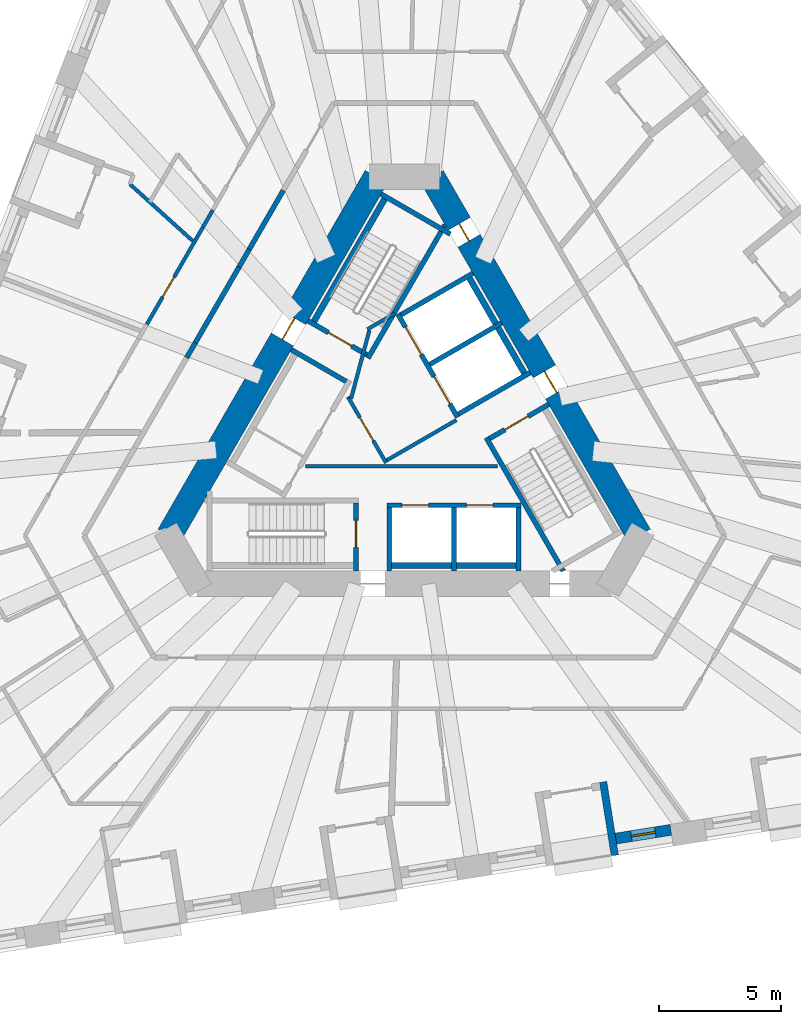
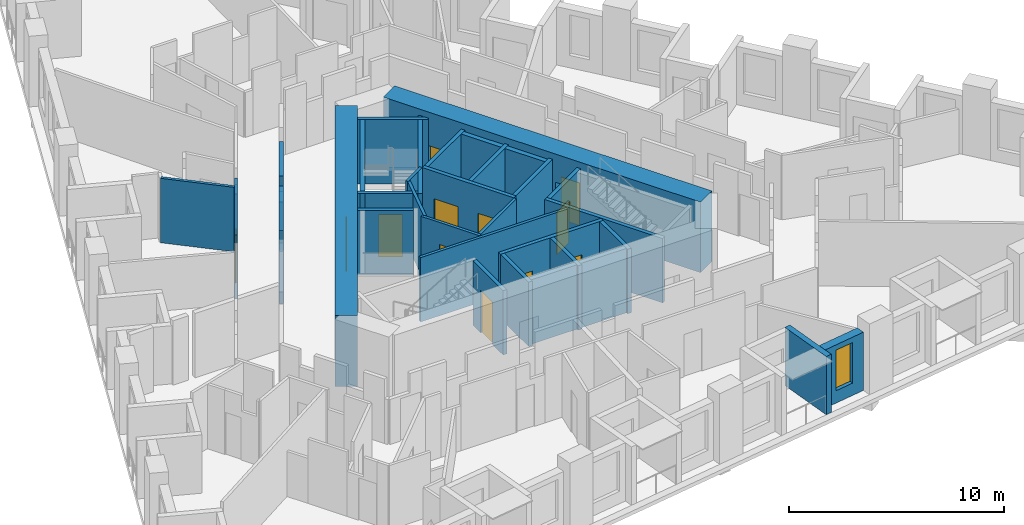
# One storey, part 5 of 14: 34 walls, 12 doors, 1 window, 13 openings.
"""IFC4 building model written with IfcOpenShell, lengths in metres."""

from ifc_helpers import new_model, si_unit, direction, frame, frame_2d, origin, place, context, subcontext, project, spatial, rectangle, extrude, material, layer, layer_set, type_object, element, fill, save


model = new_model("IFC4")

# Units and contexts
model_context = context("Model", 3, precision=1e-05, world=origin(), true_north=direction((0.0, 1.0)))
body_context = subcontext(model_context, "Body", "Model", "MODEL_VIEW")
ifc_project = project(units=[si_unit("LENGTHUNIT", "METRE"), si_unit("AREAUNIT", "SQUARE_METRE"), si_unit("VOLUMEUNIT", "CUBIC_METRE"), si_unit("PLANEANGLEUNIT", "RADIAN"), si_unit("MASSUNIT", "GRAM", prefix="KILO")], contexts=[model_context])

# Site, building, storey
site_placement = place(None, origin())
site = spatial("IfcSite", under=ifc_project, at=site_placement, CompositionType="ELEMENT")
building_placement = place(site_placement, origin())
building = spatial("IfcBuilding", under=site, at=building_placement, Name="Tramontana Tower", CompositionType="ELEMENT")
storey_placement = place(building_placement, frame((0.0, 0.0, 63.199951171875)))
storey = spatial("IfcBuildingStorey", under=building, at=storey_placement, Name="L13", CompositionType="ELEMENT", Elevation=63.199951171875)

# Wall, opening, door
ifc_material_1 = material(Name="Concrete 70 MPa", Category="concrete")
ifc_layer_1 = layer(ifc_material_1, 1.050048828125)
ifc_layer_set_1 = layer_set([ifc_layer_1], Name="Core wall 1050 70 MPa")
wall_type_1 = type_object("IfcWallType", Name="Core wall 1050 70 MPa", PredefinedType="SHEAR", material=ifc_layer_set_1)
wall_1_placement = place(storey_placement, frame((-1.140380859375, 10.47509765625, 0.0), z_axis=(0.0, 0.0, 1.0), x_axis=(-0.499985955615, -0.866033512162, 0.0)))
wall_1 = element("IfcWall", 1, at=wall_1_placement, inside=storey, type_object=wall_type_1, Name="Core wall C1 L13", PredefinedType="SHEAR", context=body_context, shape_type="SweptSolid", body=[
    extrude(rectangle(XDim=17.0029296875, YDim=1.050048828125, at=frame_2d((8.50146484375, 0.0))), origin(), (0.0, 0.0, 1.0), 4.0),
])
opening_1_placement = place(wall_1_placement, frame((6.70654296875, 0.0, 0.0)))
opening_1 = element("IfcOpeningElement", 2, at=opening_1_placement, cuts=wall_1, Name="Opening RG1", PredefinedType="OPENING", context=body_context, shape_type="SweptSolid", body=[
    extrude(rectangle(XDim=1.0, YDim=2.39990234375, at=frame_2d((0.5, 1.199951171875))), frame((0.0, 0.534912109375, 0.0), z_axis=(0.0, -1.0, 0.0), x_axis=(1.0, 0.0, 0.0)), (0.0, 0.0, 1.0), 1.070068359375),
])
ifc_material_2 = material(Name="Painted steel", Category="steel")
door_type_1 = type_object("IfcDoorType", Name="RING DOOR 1000", OperationType="SINGLE_SWING_LEFT", PredefinedType="DOOR", material=ifc_material_2)
door_1_placement = place(opening_1_placement, origin())
door_1 = element("IfcDoor", 3, at=door_1_placement, inside=storey, type_object=door_type_1, Name="Door RG1", OperationType="SINGLE_SWING_RIGHT", OverallHeight=2.39990234375, OverallWidth=1.0, PredefinedType="DOOR", context=body_context, shape_type="SweptSolid", body=[
    extrude(rectangle(XDim=1.0, YDim=2.39990234375, at=frame_2d((0.5, 1.199951171875))), frame((0.0, 0.02490234375, 0.0), z_axis=(0.0, -1.0, 0.0), x_axis=(1.0, 0.0, 0.0)), (0.0, 0.0, 1.0), 0.050048828125),
])
fill(opening_1, door_1)

# Wall, openings, doors
wall_2_placement = place(storey_placement, frame((9.6416015625, -4.25, 0.0), z_axis=(0.0, 0.0, 1.0), x_axis=(-0.499985955615, 0.866033512162, 0.0)))
wall_2 = element("IfcWall", 4, at=wall_2_placement, inside=storey, type_object=wall_type_1, Name="Core wall C5 L13", PredefinedType="SHEAR", context=body_context, shape_type="SweptSolid", body=[
    extrude(rectangle(XDim=17.0029296875, YDim=1.050048828125, at=frame_2d((8.50146484375, 0.0))), origin(), (0.0, 0.0, 1.0), 4.0),
])
opening_2_placement = place(wall_2_placement, frame((6.7763671875, 0.0, 0.0)))
opening_2 = element("IfcOpeningElement", 5, at=opening_2_placement, cuts=wall_2, Name="Opening RG3", PredefinedType="OPENING", context=body_context, shape_type="SweptSolid", body=[
    extrude(rectangle(XDim=1.0, YDim=2.39990234375, at=frame_2d((0.5, 1.199951171875))), frame((0.0, 0.534912109375, 0.0), z_axis=(0.0, -1.0, 0.0), x_axis=(1.0, 0.0, 0.0)), (0.0, 0.0, 1.0), 1.070068359375),
])
opening_3_placement = place(wall_2_placement, frame((13.966796875, 0.0, 0.0)))
opening_3 = element("IfcOpeningElement", 6, at=opening_3_placement, cuts=wall_2, Name="Opening PD3", PredefinedType="OPENING", context=body_context, shape_type="SweptSolid", body=[
    extrude(rectangle(XDim=0.800048828125, YDim=2.10009765625, at=frame_2d((0.39990234375, 1.050048828125))), frame((0.0, 0.534912109375, 0.0), z_axis=(0.0, -1.0, 0.0), x_axis=(1.0, 0.0, 0.0)), (0.0, 0.0, 1.0), 1.070068359375),
])
ifc_material_3 = material(Name="Painted steel", Category="steel")
door_type_2 = type_object("IfcDoorType", Name="CUPBOARD DOOR 800", OperationType="SINGLE_SWING_LEFT", PredefinedType="DOOR", material=ifc_material_3)
door_2_placement = place(opening_3_placement, origin())
door_2 = element("IfcDoor", 7, at=door_2_placement, inside=storey, type_object=door_type_2, Name="Door PD3", OperationType="SINGLE_SWING_RIGHT", OverallHeight=2.10009765625, OverallWidth=0.800048828125, PredefinedType="DOOR", context=body_context, shape_type="SweptSolid", body=[
    extrude(rectangle(XDim=0.800048828125, YDim=2.10009765625, at=frame_2d((0.39990234375, 1.050048828125))), frame((0.0, 0.02490234375, 0.0), z_axis=(0.0, -1.0, 0.0), x_axis=(1.0, 0.0, 0.0)), (0.0, 0.0, 1.0), 0.050048828125),
])
fill(opening_3, door_2)
door_3_placement = place(opening_2_placement, origin())
door_3 = element("IfcDoor", 8, at=door_3_placement, inside=storey, type_object=door_type_1, Name="Door RG3", OperationType="SINGLE_SWING_RIGHT", OverallHeight=2.39990234375, OverallWidth=1.0, PredefinedType="DOOR", context=body_context, shape_type="SweptSolid", body=[
    extrude(rectangle(XDim=1.0, YDim=2.39990234375, at=frame_2d((0.5, 1.199951171875))), frame((0.0, 0.02490234375, 0.0), z_axis=(0.0, -1.0, 0.0), x_axis=(1.0, 0.0, 0.0)), (0.0, 0.0, 1.0), 0.050048828125),
])
fill(opening_2, door_3)

# Walls
ifc_material_4 = material(Name="Blockwork", Category="masonry")
ifc_layer_2 = layer(ifc_material_4, 0.199951171875)
ifc_layer_set_2 = layer_set([ifc_layer_2], Name="ENTRY WALL 200")
wall_type_2 = type_object("IfcWallType", Name="ENTRY WALL 200", PredefinedType="SOLIDWALL", material=ifc_layer_set_2)
wall_3_placement = place(storey_placement, frame((-8.92041015625, 3.04931640625, 0.0), z_axis=(0.0, 0.0, 1.0), x_axis=(0.499881507708, 0.866093804534, 0.0)))
element("IfcWall", 9, at=wall_3_placement, inside=storey, type_object=wall_type_2, Name="Wall v11-ew4-3", PredefinedType="SOLIDWALL", context=body_context, shape_type="SweptSolid", body=[
    extrude(rectangle(XDim=0.708740234375, YDim=0.199951171875, at=frame_2d((0.3544921875, 0.0))), origin(), (0.0, 0.0, 1.0), 2.949951171875),
])
wall_4_placement = place(storey_placement, frame((-8.566162109375, 3.6630859375, 0.0), z_axis=(0.0, 0.0, 1.0), x_axis=(0.500013241293, 0.866017758786, 0.0)))
element("IfcWall", 10, at=wall_4_placement, inside=storey, type_object=wall_type_2, Name="Wall v11-ew4-4", PredefinedType="SOLIDWALL", context=body_context, shape_type="SweptSolid", body=[
    extrude(rectangle(XDim=3.58544921875, YDim=0.199951171875, at=frame_2d((1.792724609375, 0.0))), origin(), (0.0, 0.0, 1.0), 3.650146484375),
])
wall_5_placement = place(storey_placement, frame((-6.7734375, 6.76806640625, 0.0), z_axis=(0.0, 0.0, 1.0), x_axis=(0.500117447933, 0.865957584569, 0.0)))
element("IfcWall", 11, at=wall_5_placement, inside=storey, type_object=wall_type_2, Name="Wall v11-ew4-5", PredefinedType="SOLIDWALL", context=body_context, shape_type="SweptSolid", body=[
    extrude(rectangle(XDim=0.838134765625, YDim=0.199951171875, at=frame_2d((0.4189453125, 0.0))), origin(), (0.0, 0.0, 1.0), 2.75),
])
wall_6_placement = place(storey_placement, frame((-6.354248046875, 7.493896484375, 0.0), z_axis=(0.0, 0.0, 1.0), x_axis=(0.499964529649, 0.866045881633, 0.0)))
element("IfcWall", 12, at=wall_6_placement, inside=storey, type_object=wall_type_2, Name="Wall v11-ew4-6", PredefinedType="SOLIDWALL", context=body_context, shape_type="SweptSolid", body=[
    extrude(rectangle(XDim=2.793701171875, YDim=0.199951171875, at=frame_2d((1.39697265625, 0.0))), origin(), (0.0, 0.0, 1.0), 3.650146484375),
])

# Wall, opening, window
ifc_material_5 = material(Name="Precast concrete 60 MPa", Category="concrete")
ifc_layer_3 = layer(ifc_material_5, 0.449951171875)
ifc_layer_set_3 = layer_set([ifc_layer_3], Name="Precast concrete 60 MPa, 450 mm")
wall_type_3 = type_object("IfcWallType", Name="EW1 Stone-faced precast wall 450", PredefinedType="SOLIDWALL", material=ifc_layer_set_3)
wall_7_placement = place(storey_placement, frame((8.680908203125, -16.67236328125, 0.0), z_axis=(0.0, 0.0, 1.0), x_axis=(0.987685675151, 0.156451293065, 0.0)))
wall_7 = element("IfcWall", 13, at=wall_7_placement, inside=storey, type_object=wall_type_3, Name="External wall L13 face 1 bay 4", PredefinedType="SOLIDWALL", context=body_context, shape_type="SweptSolid", body=[
    extrude(rectangle(XDim=2.282958984375, YDim=0.449951171875, at=frame_2d((1.1416015625, 0.0))), origin(), (0.0, 0.0, 1.0), 3.300048828125),
])
opening_4_placement = place(wall_7_placement, frame((0.6416015625, 0.0, 0.699951171875)))
opening_4 = element("IfcOpeningElement", 14, at=opening_4_placement, cuts=wall_7, Name="Opening N1", PredefinedType="OPENING", context=body_context, shape_type="SweptSolid", body=[
    extrude(rectangle(XDim=1.0, YDim=2.300048828125, at=frame_2d((0.5, 1.14990234375))), frame((0.0, 0.23486328125, 0.0), z_axis=(0.0, -1.0, 0.0), x_axis=(1.0, 0.0, 0.0)), (0.0, 0.0, 1.0), 0.469970703125),
])
ifc_material_6 = material(Name="Aluminum frame, double glazing unit", Category="aluminium")
window_type = type_object("IfcWindowType", Name="N1 Window 1 x 2.3", PartitioningType="SINGLE_PANEL", PredefinedType="WINDOW", material=ifc_material_6)
window_placement = place(opening_4_placement, origin())
window = element("IfcWindow", 15, at=window_placement, inside=storey, type_object=window_type, Name="Window N1 L13 face 1 module 12", OverallHeight=2.300048828125, OverallWidth=1.0, PartitioningType="SINGLE_PANEL", PredefinedType="WINDOW", context=body_context, shape_type="SweptSolid", body=[
    extrude(rectangle(XDim=1.0, YDim=2.300048828125, at=frame_2d((0.5, 1.14990234375))), frame((0.0, 0.030029296875, 0.0), z_axis=(0.0, -1.0, 0.0), x_axis=(1.0, 0.0, 0.0)), (0.0, 0.0, 1.0), 0.06005859375),
])
fill(opening_4, window)

# Wall
ifc_material_7 = material(Name="Precast concrete 60 MPa", Category="concrete")
ifc_layer_4 = layer(ifc_material_7, 0.300048828125)
ifc_layer_set_4 = layer_set([ifc_layer_4], Name="LW1 Stone-faced loggia wall 300")
wall_type_4 = type_object("IfcWallType", Name="LW1 Stone-faced loggia wall 300", PredefinedType="SOLIDWALL", material=ifc_layer_set_4)
wall_8_placement = place(storey_placement, frame((8.638427734375, -17.3623046875, 0.0), z_axis=(0.0, 0.0, 1.0), x_axis=(-0.156410600741, 0.987692120033, 0.0)))
element("IfcWall", 16, at=wall_8_placement, inside=storey, type_object=wall_type_4, Name="Loggia return L13 G1S1.10b", PredefinedType="SOLIDWALL", context=body_context, shape_type="SweptSolid", body=[
    extrude(rectangle(XDim=3.050048828125, YDim=0.300048828125, at=frame_2d((1.52490234375, 0.0))), origin(), (0.0, 0.0, 1.0), 3.300048828125),
])

# Wall, opening, door
ifc_material_8 = material(Name="Gypsum board partition")
ifc_layer_5 = layer(ifc_material_8, 0.14990234375)
ifc_layer_set_5 = layer_set([ifc_layer_5], Name="PARTITION 150")
wall_type_5 = type_object("IfcWallType", Name="PARTITION 150", PredefinedType="PARTITIONING", material=ifc_layer_set_5)
wall_9_placement = place(storey_placement, frame((-0.744140625, -1.260986328125, 0.0), z_axis=(0.0, 0.0, 1.0), x_axis=(-0.500004234368, 0.866022959057, 0.0)))
wall_9 = element("IfcWall", 17, at=wall_9_placement, inside=storey, type_object=wall_type_5, Name="Wall ff-front", PredefinedType="PARTITIONING", context=body_context, shape_type="SweptSolid", body=[
    extrude(rectangle(XDim=3.125, YDim=0.14990234375, at=frame_2d((1.5625, 0.0))), origin(), (0.0, 0.0, 1.0), 3.650146484375),
])
opening_5_placement = place(wall_9_placement, frame((1.050048828125, 0.0, 0.0)))
opening_5 = element("IfcOpeningElement", 18, at=opening_5_placement, cuts=wall_9, Name="Opening FD1", PredefinedType="OPENING", context=body_context, shape_type="SweptSolid", body=[
    extrude(rectangle(XDim=1.10009765625, YDim=2.39990234375, at=frame_2d((0.550048828125, 1.199951171875))), frame((0.0, 0.0849609375, 0.0), z_axis=(0.0, -1.0, 0.0), x_axis=(1.0, 0.0, 0.0)), (0.0, 0.0, 1.0), 0.169921875),
])
ifc_material_9 = material(Name="Painted timber", Category="wood")
door_type_3 = type_object("IfcDoorType", Name="DOOR ENTRY 1100", OperationType="SINGLE_SWING_LEFT", PredefinedType="DOOR", material=ifc_material_9)
door_4_placement = place(opening_5_placement, origin())
door_4 = element("IfcDoor", 19, at=door_4_placement, inside=storey, type_object=door_type_3, Name="Door FD1", OperationType="SINGLE_SWING_LEFT", OverallHeight=2.39990234375, OverallWidth=1.10009765625, PredefinedType="DOOR", context=body_context, shape_type="SweptSolid", body=[
    extrude(rectangle(XDim=1.10009765625, YDim=2.39990234375, at=frame_2d((0.550048828125, 1.199951171875))), frame((0.0, 0.02490234375, 0.0), z_axis=(0.0, -1.0, 0.0), x_axis=(1.0, 0.0, 0.0)), (0.0, 0.0, 1.0), 0.050048828125),
])
fill(opening_5, door_4)

# Walls
wall_10_placement = place(storey_placement, frame((-0.716796875, -1.15869140625, 0.0), z_axis=(0.0, 0.0, 1.0), x_axis=(0.866008176907, 0.50002983664, 0.0)))
element("IfcWall", 20, at=wall_10_placement, inside=storey, type_object=wall_type_5, Name="Wall ff-end0", PredefinedType="PARTITIONING", context=body_context, shape_type="SweptSolid", body=[
    extrude(rectangle(XDim=3.300048828125, YDim=0.14990234375, at=frame_2d((1.64990234375, 0.0))), origin(), (0.0, 0.0, 1.0), 3.650146484375),
])
wall_11_placement = place(storey_placement, frame((-2.177978515625, 1.372314453125, 0.0), z_axis=(0.0, 0.0, 1.0), x_axis=(0.258808958833, 0.96592852884, 0.0)))
element("IfcWall", 21, at=wall_11_placement, inside=storey, type_object=wall_type_5, Name="Wall ff-diag", PredefinedType="PARTITIONING", context=body_context, shape_type="SweptSolid", body=[
    extrude(rectangle(XDim=2.902587890625, YDim=0.14990234375, at=frame_2d((1.451171875, 0.0))), origin(), (0.0, 0.0, 1.0), 3.650146484375),
])
wall_12_placement = place(storey_placement, frame((-1.509765625, 4.21484375, 0.0), z_axis=(0.0, 0.0, 1.0), x_axis=(0.866085525409, 0.49989585183, 0.0)))
element("IfcWall", 22, at=wall_12_placement, inside=storey, type_object=wall_type_5, Name="Wall ff-end1", PredefinedType="PARTITIONING", context=body_context, shape_type="SweptSolid", body=[
    extrude(rectangle(XDim=1.300048828125, YDim=0.14990234375, at=frame_2d((0.64990234375, 0.0))), origin(), (0.0, 0.0, 1.0), 3.650146484375),
])
wall_13_placement = place(storey_placement, frame((-4.053466796875, -1.39990234375, 0.0), z_axis=(0.0, 0.0, 1.0), x_axis=(1.0, 0.0, 0.0)))
element("IfcWall", 23, at=wall_13_placement, inside=storey, type_object=wall_type_5, Name="Wall hub-cut1", PredefinedType="PARTITIONING", context=body_context, shape_type="SweptSolid", body=[
    extrude(rectangle(XDim=7.8759765625, YDim=0.14990234375, at=frame_2d((3.93798828125, 0.0))), origin(), (0.0, 0.0, 1.0), 3.650146484375),
])

# Wall, opening, door
wall_14_placement = place(storey_placement, frame((-10.557373046875, 4.4140625, 0.0), z_axis=(0.0, 0.0, 1.0), x_axis=(0.499985815721, 0.866033592927, 0.0)))
wall_14 = element("IfcWall", 24, at=wall_14_placement, inside=storey, type_object=wall_type_5, Name="Wall v11-pw05-4", PredefinedType="PARTITIONING", context=body_context, shape_type="SweptSolid", body=[
    extrude(rectangle(XDim=4.600830078125, YDim=0.14990234375, at=frame_2d((2.30029296875, 0.0))), origin(), (0.0, 0.0, 1.0), 3.650146484375),
])
opening_6_placement = place(wall_14_placement, frame((1.30029296875, 0.0, 0.0)))
opening_6 = element("IfcOpeningElement", 25, at=opening_6_placement, cuts=wall_14, Name="Opening B1B-07", PredefinedType="OPENING", context=body_context, shape_type="SweptSolid", body=[
    extrude(rectangle(XDim=0.949951171875, YDim=2.39990234375, at=frame_2d((0.47509765625, 1.199951171875))), frame((0.0, 0.0849609375, 0.0), z_axis=(0.0, -1.0, 0.0), x_axis=(1.0, 0.0, 0.0)), (0.0, 0.0, 1.0), 0.169921875),
])
ifc_material_10 = material(Name="Painted timber", Category="wood")
door_type_4 = type_object("IfcDoorType", Name="DOOR ROOM 950", OperationType="SINGLE_SWING_LEFT", PredefinedType="DOOR", material=ifc_material_10)
door_5_placement = place(opening_6_placement, origin())
door_5 = element("IfcDoor", 26, at=door_5_placement, inside=storey, type_object=door_type_4, Name="Door B1B-07", OperationType="SINGLE_SWING_LEFT", OverallHeight=2.39990234375, OverallWidth=0.949951171875, PredefinedType="DOOR", context=body_context, shape_type="SweptSolid", body=[
    extrude(rectangle(XDim=0.949951171875, YDim=2.39990234375, at=frame_2d((0.47509765625, 1.199951171875))), frame((0.0, 0.02490234375, 0.0), z_axis=(0.0, -1.0, 0.0), x_axis=(1.0, 0.0, 0.0)), (0.0, 0.0, 1.0), 0.050048828125),
])
fill(opening_6, door_5)

# Walls
wall_15_placement = place(storey_placement, frame((-8.257080078125, 8.3984375, 0.0), z_axis=(0.0, 0.0, 1.0), x_axis=(0.500052144805, 0.865995295874, 0.0)))
element("IfcWall", 27, at=wall_15_placement, inside=storey, type_object=wall_type_5, Name="Wall v11-pw05-5", PredefinedType="PARTITIONING", context=body_context, shape_type="SweptSolid", body=[
    extrude(rectangle(XDim=0.81201171875, YDim=0.14990234375, at=frame_2d((0.406005859375, 0.0))), origin(), (0.0, 0.0, 1.0), 2.75),
])
wall_16_placement = place(storey_placement, frame((-8.668212890625, 7.836181640625, 0.0), z_axis=(0.0, 0.0, 1.0), x_axis=(-0.741818017286, 0.670601244578, 0.0)))
element("IfcWall", 28, at=wall_16_placement, inside=storey, type_object=wall_type_5, Name="Wall v11-pw21", PredefinedType="PARTITIONING", context=body_context, shape_type="SweptSolid", body=[
    extrude(rectangle(XDim=3.48291015625, YDim=0.14990234375, at=frame_2d((1.741455078125, 0.0))), origin(), (0.0, 0.0, 1.0), 3.650146484375),
])
ifc_material_11 = material(Name="Concrete 70 MPa", Category="concrete")
ifc_layer_6 = layer(ifc_material_11, 0.25)
ifc_layer_set_6 = layer_set([ifc_layer_6], Name="Concrete 70 MPa, 250 mm")
wall_type_6 = type_object("IfcWallType", Name="RC SHAFT BACK WALL 250", PredefinedType="SOLIDWALL", material=ifc_layer_set_6)
wall_17_placement = place(storey_placement, frame((-0.701416015625, 9.73486328125, 0.0), z_axis=(0.0, 0.0, 1.0), x_axis=(-0.500026960575, -0.86600983753, 0.0)))
element("IfcWall", 29, at=wall_17_placement, inside=storey, type_object=wall_type_6, Name="Wall st1-back", PredefinedType="SOLIDWALL", context=body_context, shape_type="SweptSolid", body=[
    extrude(rectangle(XDim=6.199951171875, YDim=0.25, at=frame_2d((3.10009765625, 0.0))), origin(), (0.0, 0.0, 1.0), 3.650146484375),
])
wall_18_placement = place(storey_placement, frame((-0.7099609375, -5.47509765625, 0.0), z_axis=(0.0, 0.0, 1.0), x_axis=(1.0, 0.0, 0.0)))
element("IfcWall", 30, at=wall_18_placement, inside=storey, type_object=wall_type_6, Name="Wall row1-back", PredefinedType="SOLIDWALL", context=body_context, shape_type="SweptSolid", body=[
    extrude(rectangle(XDim=5.5, YDim=0.25, at=frame_2d((2.75, 0.0))), origin(), (0.0, 0.0, 1.0), 3.650146484375),
])
wall_19_placement = place(storey_placement, frame((5.0263671875, 2.243896484375, 0.0), z_axis=(0.0, 0.0, 1.0), x_axis=(-0.500002801628, 0.866023786258, 0.0)))
element("IfcWall", 31, at=wall_19_placement, inside=storey, type_object=wall_type_6, Name="Wall row2-back", PredefinedType="SOLIDWALL", context=body_context, shape_type="SweptSolid", body=[
    extrude(rectangle(XDim=4.89990234375, YDim=0.25, at=frame_2d((2.449951171875, 0.0))), origin(), (0.0, 0.0, 1.0), 3.650146484375),
])
ifc_material_12 = material(Name="Concrete 70 MPa", Category="concrete")
ifc_layer_7 = layer(ifc_material_12, 0.199951171875)
ifc_layer_set_7 = layer_set([ifc_layer_7], Name="Concrete 70 MPa, 200 mm")
wall_type_7 = type_object("IfcWallType", Name="RC STAIR AND SHAFT WALL 200", PredefinedType="SOLIDWALL", material=ifc_layer_set_7)
wall_20_placement = place(storey_placement, frame((1.67431640625, 8.5, 0.0), z_axis=(0.0, 0.0, 1.0), x_axis=(-0.499995607161, -0.866027939976, 0.0)))
element("IfcWall", 32, at=wall_20_placement, inside=storey, type_object=wall_type_7, Name="Wall st1-front", PredefinedType="SOLIDWALL", context=body_context, shape_type="SweptSolid", body=[
    extrude(rectangle(XDim=6.318359375, YDim=0.199951171875, at=frame_2d((3.1591796875, 0.0))), origin(), (0.0, 0.0, 1.0), 3.650146484375),
])
wall_21_placement = place(storey_placement, frame((1.892578125, 8.121826171875, 0.0), z_axis=(0.0, 0.0, 1.0), x_axis=(-0.866006986733, 0.500031897912, 0.0)))
element("IfcWall", 33, at=wall_21_placement, inside=storey, type_object=wall_type_7, Name="Wall st1-far", PredefinedType="SOLIDWALL", context=body_context, shape_type="SweptSolid", body=[
    extrude(rectangle(XDim=3.278076171875, YDim=0.199951171875, at=frame_2d((1.63916015625, 0.0))), origin(), (0.0, 0.0, 1.0), 3.650146484375),
])

# Wall, opening, door
wall_22_placement = place(storey_placement, frame((-1.521484375, 3.164794921875, 0.0), z_axis=(0.0, 0.0, 1.0), x_axis=(-0.866034573852, 0.49998411664, 0.0)))
wall_22 = element("IfcWall", 34, at=wall_22_placement, inside=storey, type_object=wall_type_7, Name="Wall st1-near", PredefinedType="SOLIDWALL", context=body_context, shape_type="SweptSolid", body=[
    extrude(rectangle(XDim=2.7998046875, YDim=0.199951171875, at=frame_2d((1.39990234375, 0.0))), origin(), (0.0, 0.0, 1.0), 3.650146484375),
])
opening_7_placement = place(wall_22_placement, frame((0.72509765625, 0.0, 0.0)))
opening_7 = element("IfcOpeningElement", 35, at=opening_7_placement, cuts=wall_22, Name="Opening SD1", PredefinedType="OPENING", context=body_context, shape_type="SweptSolid", body=[
    extrude(rectangle(XDim=1.10009765625, YDim=2.39990234375, at=frame_2d((0.550048828125, 1.199951171875))), frame((0.0, 0.10986328125, 0.0), z_axis=(0.0, -1.0, 0.0), x_axis=(1.0, 0.0, 0.0)), (0.0, 0.0, 1.0), 0.219970703125),
])
ifc_material_13 = material(Name="Painted steel", Category="steel")
door_type_5 = type_object("IfcDoorType", Name="STAIR DOOR 1100", OperationType="SINGLE_SWING_LEFT", PredefinedType="DOOR", material=ifc_material_13)
door_6_placement = place(opening_7_placement, origin())
door_6 = element("IfcDoor", 36, at=door_6_placement, inside=storey, type_object=door_type_5, Name="Door SD1", OperationType="SINGLE_SWING_RIGHT", OverallHeight=2.39990234375, OverallWidth=1.10009765625, PredefinedType="DOOR", context=body_context, shape_type="SweptSolid", body=[
    extrude(rectangle(XDim=1.10009765625, YDim=2.39990234375, at=frame_2d((0.550048828125, 1.199951171875))), frame((0.0, 0.02490234375, 0.0), z_axis=(0.0, -1.0, 0.0), x_axis=(1.0, 0.0, 0.0)), (0.0, 0.0, 1.0), 0.050048828125),
])
fill(opening_7, door_6)

wall_23_placement = place(storey_placement, frame((-1.97998046875, -2.89990234375, 0.0), z_axis=(0.0, 0.0, 1.0), x_axis=(0.0, -1.0, 0.0)))
wall_23 = element("IfcWall", 37, at=wall_23_placement, inside=storey, type_object=wall_type_7, Name="Wall st2-near", PredefinedType="SOLIDWALL", context=body_context, shape_type="SweptSolid", body=[
    extrude(rectangle(XDim=2.800048828125, YDim=0.199951171875, at=frame_2d((1.39990234375, 0.0))), origin(), (0.0, 0.0, 1.0), 3.650146484375),
])
opening_8_placement = place(wall_23_placement, frame((0.72509765625, 0.0, 0.0)))
opening_8 = element("IfcOpeningElement", 38, at=opening_8_placement, cuts=wall_23, Name="Opening SD2", PredefinedType="OPENING", context=body_context, shape_type="SweptSolid", body=[
    extrude(rectangle(XDim=1.10009765625, YDim=2.39990234375, at=frame_2d((0.550048828125, 1.199951171875))), frame((0.0, 0.10986328125, 0.0), z_axis=(0.0, -1.0, 0.0), x_axis=(1.0, 0.0, 0.0)), (0.0, 0.0, 1.0), 0.219970703125),
])
door_7_placement = place(opening_8_placement, origin())
door_7 = element("IfcDoor", 39, at=door_7_placement, inside=storey, type_object=door_type_5, Name="Door SD2", OperationType="SINGLE_SWING_LEFT", OverallHeight=2.39990234375, OverallWidth=1.10009765625, PredefinedType="DOOR", context=body_context, shape_type="SweptSolid", body=[
    extrude(rectangle(XDim=1.10009765625, YDim=2.39990234375, at=frame_2d((0.550048828125, 1.199951171875))), frame((0.0, 0.02490234375, 0.0), z_axis=(0.0, -1.0, 0.0), x_axis=(1.0, 0.0, 0.0)), (0.0, 0.0, 1.0), 0.050048828125),
])
fill(opening_8, door_7)

# Wall
wall_24_placement = place(storey_placement, frame((6.524169921875, -5.699951171875, 0.0), z_axis=(0.0, 0.0, 1.0), x_axis=(-0.499995607161, 0.866027939976, 0.0)))
element("IfcWall", 40, at=wall_24_placement, inside=storey, type_object=wall_type_7, Name="Wall st3-front", PredefinedType="SOLIDWALL", context=body_context, shape_type="SweptSolid", body=[
    extrude(rectangle(XDim=6.318359375, YDim=0.199951171875, at=frame_2d((3.1591796875, 0.0))), origin(), (0.0, 0.0, 1.0), 3.650146484375),
])

# Wall, opening, door
wall_25_placement = place(storey_placement, frame((3.50146484375, -0.2646484375, 0.0), z_axis=(0.0, 0.0, 1.0), x_axis=(0.866034573852, 0.49998411664, 0.0)))
wall_25 = element("IfcWall", 41, at=wall_25_placement, inside=storey, type_object=wall_type_7, Name="Wall st3-near", PredefinedType="SOLIDWALL", context=body_context, shape_type="SweptSolid", body=[
    extrude(rectangle(XDim=2.7998046875, YDim=0.199951171875, at=frame_2d((1.39990234375, 0.0))), origin(), (0.0, 0.0, 1.0), 3.650146484375),
])
opening_9_placement = place(wall_25_placement, frame((0.72509765625, 0.0, 0.0)))
opening_9 = element("IfcOpeningElement", 42, at=opening_9_placement, cuts=wall_25, Name="Opening SD3", PredefinedType="OPENING", context=body_context, shape_type="SweptSolid", body=[
    extrude(rectangle(XDim=1.10009765625, YDim=2.39990234375, at=frame_2d((0.550048828125, 1.199951171875))), frame((0.0, 0.10986328125, 0.0), z_axis=(0.0, -1.0, 0.0), x_axis=(1.0, 0.0, 0.0)), (0.0, 0.0, 1.0), 0.219970703125),
])
door_8_placement = place(opening_9_placement, origin())
door_8 = element("IfcDoor", 43, at=door_8_placement, inside=storey, type_object=door_type_5, Name="Door SD3", OperationType="SINGLE_SWING_RIGHT", OverallHeight=2.39990234375, OverallWidth=1.10009765625, PredefinedType="DOOR", context=body_context, shape_type="SweptSolid", body=[
    extrude(rectangle(XDim=1.10009765625, YDim=2.39990234375, at=frame_2d((0.550048828125, 1.199951171875))), frame((0.0, 0.02490234375, 0.0), z_axis=(0.0, -1.0, 0.0), x_axis=(1.0, 0.0, 0.0)), (0.0, 0.0, 1.0), 0.050048828125),
])
fill(opening_9, door_8)

# Wall
wall_26_placement = place(storey_placement, frame((-2.379638671875, 2.078369140625, 0.0), z_axis=(0.0, 0.0, 1.0), x_axis=(-0.866062058628, 0.499936506574, 0.0)))
element("IfcWall", 44, at=wall_26_placement, inside=storey, type_object=wall_type_7, Name="Wall row0-side0", PredefinedType="SOLIDWALL", context=body_context, shape_type="SweptSolid", body=[
    extrude(rectangle(XDim=2.599853515625, YDim=0.199951171875, at=frame_2d((1.2998046875, 0.0))), origin(), (0.0, 0.0, 1.0), 3.650146484375),
])

# Wall, openings, doors
wall_27_placement = place(storey_placement, frame((-0.7099609375, -3.0, 0.0), z_axis=(0.0, 0.0, 1.0), x_axis=(1.0, 0.0, 0.0)))
wall_27 = element("IfcWall", 45, at=wall_27_placement, inside=storey, type_object=wall_type_7, Name="Wall row1-front", PredefinedType="SOLIDWALL", context=body_context, shape_type="SweptSolid", body=[
    extrude(rectangle(XDim=5.5, YDim=0.199951171875, at=frame_2d((2.75, 0.0))), origin(), (0.0, 0.0, 1.0), 3.650146484375),
])
opening_10_placement = place(wall_27_placement, frame((0.610107421875, 0.0, 0.0)))
opening_10 = element("IfcOpeningElement", 46, at=opening_10_placement, cuts=wall_27, Name="Opening LD-S1", PredefinedType="OPENING", context=body_context, shape_type="SweptSolid", body=[
    extrude(rectangle(XDim=1.10009765625, YDim=2.10009765625, at=frame_2d((0.550048828125, 1.050048828125))), frame((0.0, 0.10986328125, 0.0), z_axis=(0.0, -1.0, 0.0), x_axis=(1.0, 0.0, 0.0)), (0.0, 0.0, 1.0), 0.219970703125),
])
opening_11_placement = place(wall_27_placement, frame((3.260009765625, 0.0, 0.0)))
opening_11 = element("IfcOpeningElement", 47, at=opening_11_placement, cuts=wall_27, Name="Opening LD-S2", PredefinedType="OPENING", context=body_context, shape_type="SweptSolid", body=[
    extrude(rectangle(XDim=1.10009765625, YDim=2.10009765625, at=frame_2d((0.550048828125, 1.050048828125))), frame((0.0, 0.10986328125, 0.0), z_axis=(0.0, -1.0, 0.0), x_axis=(1.0, 0.0, 0.0)), (0.0, 0.0, 1.0), 0.219970703125),
])
ifc_material_14 = material(Name="Brushed steel", Category="steel")
door_type_6 = type_object("IfcDoorType", Name="LANDING DOOR 1100", OperationType="SINGLE_SWING_LEFT", PredefinedType="DOOR", material=ifc_material_14)
door_9_placement = place(opening_10_placement, origin())
door_9 = element("IfcDoor", 48, at=door_9_placement, inside=storey, type_object=door_type_6, Name="Door LD-S1", OperationType="SLIDING_TO_LEFT", OverallHeight=2.10009765625, OverallWidth=1.10009765625, PredefinedType="DOOR", context=body_context, shape_type="SweptSolid", body=[
    extrude(rectangle(XDim=1.10009765625, YDim=2.10009765625, at=frame_2d((0.550048828125, 1.050048828125))), frame((0.0, 0.02490234375, 0.0), z_axis=(0.0, -1.0, 0.0), x_axis=(1.0, 0.0, 0.0)), (0.0, 0.0, 1.0), 0.050048828125),
])
fill(opening_10, door_9)
door_10_placement = place(opening_11_placement, origin())
door_10 = element("IfcDoor", 49, at=door_10_placement, inside=storey, type_object=door_type_6, Name="Door LD-S2", OperationType="SLIDING_TO_RIGHT", OverallHeight=2.10009765625, OverallWidth=1.10009765625, PredefinedType="DOOR", context=body_context, shape_type="SweptSolid", body=[
    extrude(rectangle(XDim=1.10009765625, YDim=2.10009765625, at=frame_2d((0.550048828125, 1.050048828125))), frame((0.0, 0.02490234375, 0.0), z_axis=(0.0, -1.0, 0.0), x_axis=(1.0, 0.0, 0.0)), (0.0, 0.0, 1.0), 0.050048828125),
])
fill(opening_11, door_10)

# Walls
for number, where, z_axis, x_axis, name in (
    (50, (-0.610107421875, -3.10009765625, 0.0), (0.0, 0.0, 1.0), (0.0, -1.0, 0.0), "Wall row1-side0"),
    (51, (2.0400390625, -3.10009765625, 0.0), (0.0, 0.0, 1.0), (0.0, -1.0, 0.0), "Wall row1-side1"),
    (52, (4.68994140625, -3.10009765625, 0.0), (0.0, 0.0, 1.0), (0.0, -1.0, 0.0), "Wall row1-side2"),
):
    element("IfcWall", number, at=place(storey_placement, frame(where, z_axis=z_axis, x_axis=x_axis)), inside=storey, type_object=wall_type_7, Name=name, PredefinedType="SOLIDWALL", context=body_context, shape_type="SweptSolid", body=[
        extrude(rectangle(XDim=2.599853515625, YDim=0.199951171875, at=frame_2d((1.2998046875, 0.0))), origin(), (0.0, 0.0, 1.0), 3.650146484375),
    ])

# Wall, openings, doors
wall_28_placement = place(storey_placement, frame((2.190185546875, 0.6064453125, 0.0), z_axis=(0.0, 0.0, 1.0), x_axis=(-0.500002801628, 0.866023786258, 0.0)))
wall_28 = element("IfcWall", 53, at=wall_28_placement, inside=storey, type_object=wall_type_7, Name="Wall row2-front", PredefinedType="SOLIDWALL", context=body_context, shape_type="SweptSolid", body=[
    extrude(rectangle(XDim=4.89990234375, YDim=0.199951171875, at=frame_2d((2.449951171875, 0.0))), origin(), (0.0, 0.0, 1.0), 3.650146484375),
])
opening_12_placement = place(wall_28_placement, frame((0.625, 0.0, 0.0)))
opening_12 = element("IfcOpeningElement", 54, at=opening_12_placement, cuts=wall_28, Name="Opening LD-F1", PredefinedType="OPENING", context=body_context, shape_type="SweptSolid", body=[
    extrude(rectangle(XDim=1.300048828125, YDim=2.10009765625, at=frame_2d((0.64990234375, 1.050048828125))), frame((0.0, 0.10986328125, 0.0), z_axis=(0.0, -1.0, 0.0), x_axis=(1.0, 0.0, 0.0)), (0.0, 0.0, 1.0), 0.219970703125),
])
opening_13_placement = place(wall_28_placement, frame((2.97509765625, 0.0, 0.0)))
opening_13 = element("IfcOpeningElement", 55, at=opening_13_placement, cuts=wall_28, Name="Opening LD-F2", PredefinedType="OPENING", context=body_context, shape_type="SweptSolid", body=[
    extrude(rectangle(XDim=1.300048828125, YDim=2.10009765625, at=frame_2d((0.64990234375, 1.050048828125))), frame((0.0, 0.10986328125, 0.0), z_axis=(0.0, -1.0, 0.0), x_axis=(1.0, 0.0, 0.0)), (0.0, 0.0, 1.0), 0.219970703125),
])
ifc_material_15 = material(Name="Brushed steel", Category="steel")
door_type_7 = type_object("IfcDoorType", Name="LANDING DOOR 1300", OperationType="SINGLE_SWING_LEFT", PredefinedType="DOOR", material=ifc_material_15)
door_11_placement = place(opening_12_placement, origin())
door_11 = element("IfcDoor", 56, at=door_11_placement, inside=storey, type_object=door_type_7, Name="Door LD-F1", OperationType="SLIDING_TO_LEFT", OverallHeight=2.10009765625, OverallWidth=1.300048828125, PredefinedType="DOOR", context=body_context, shape_type="SweptSolid", body=[
    extrude(rectangle(XDim=1.300048828125, YDim=2.10009765625, at=frame_2d((0.64990234375, 1.050048828125))), frame((0.0, 0.02490234375, 0.0), z_axis=(0.0, -1.0, 0.0), x_axis=(1.0, 0.0, 0.0)), (0.0, 0.0, 1.0), 0.050048828125),
])
fill(opening_12, door_11)
door_12_placement = place(opening_13_placement, origin())
door_12 = element("IfcDoor", 57, at=door_12_placement, inside=storey, type_object=door_type_7, Name="Door LD-F2", OperationType="SLIDING_TO_RIGHT", OverallHeight=2.10009765625, OverallWidth=1.300048828125, PredefinedType="DOOR", context=body_context, shape_type="SweptSolid", body=[
    extrude(rectangle(XDim=1.300048828125, YDim=2.10009765625, at=frame_2d((0.64990234375, 1.050048828125))), frame((0.0, 0.02490234375, 0.0), z_axis=(0.0, -1.0, 0.0), x_axis=(1.0, 0.0, 0.0)), (0.0, 0.0, 1.0), 0.050048828125),
])
fill(opening_13, door_12)

# Walls
for number, where, z_axis, x_axis, name in (
    (58, (2.226806640625, 0.742919921875, 0.0), (0.0, 0.0, 1.0), (0.866038511948, 0.499977295307, 0.0), "Wall row2-side0"),
    (59, (1.0517578125, 2.778076171875, 0.0), (0.0, 0.0, 1.0), (0.866038511948, 0.499977295307, 0.0), "Wall row2-side1"),
):
    element("IfcWall", number, at=place(storey_placement, frame(where, z_axis=z_axis, x_axis=x_axis)), inside=storey, type_object=wall_type_7, Name=name, PredefinedType="SOLIDWALL", context=body_context, shape_type="SweptSolid", body=[
        extrude(rectangle(XDim=3.400146484375, YDim=0.199951171875, at=frame_2d((1.7001953125, 0.0))), origin(), (0.0, 0.0, 1.0), 3.650146484375),
    ])
wall_29_placement = place(storey_placement, frame((-0.123046875, 4.813232421875, 0.0), z_axis=(0.0, 0.0, 1.0), x_axis=(0.866020560687, 0.500008388397, 0.0)))
element("IfcWall", 60, at=wall_29_placement, inside=storey, type_object=wall_type_7, Name="Wall row2-side2", PredefinedType="SOLIDWALL", context=body_context, shape_type="SweptSolid", body=[
    extrude(rectangle(XDim=3.39990234375, YDim=0.199951171875, at=frame_2d((1.699951171875, 0.0))), origin(), (0.0, 0.0, 1.0), 3.650146484375),
])

save(model, "model.ifc")
